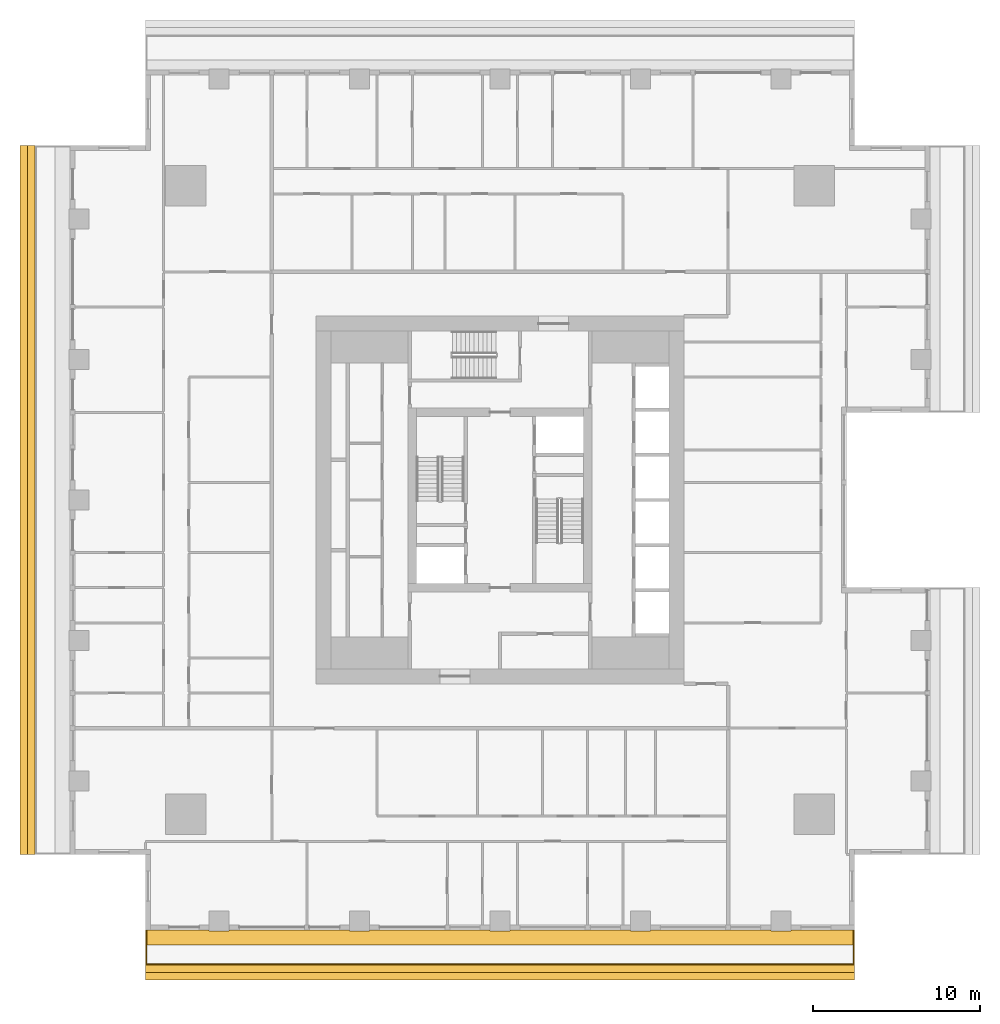
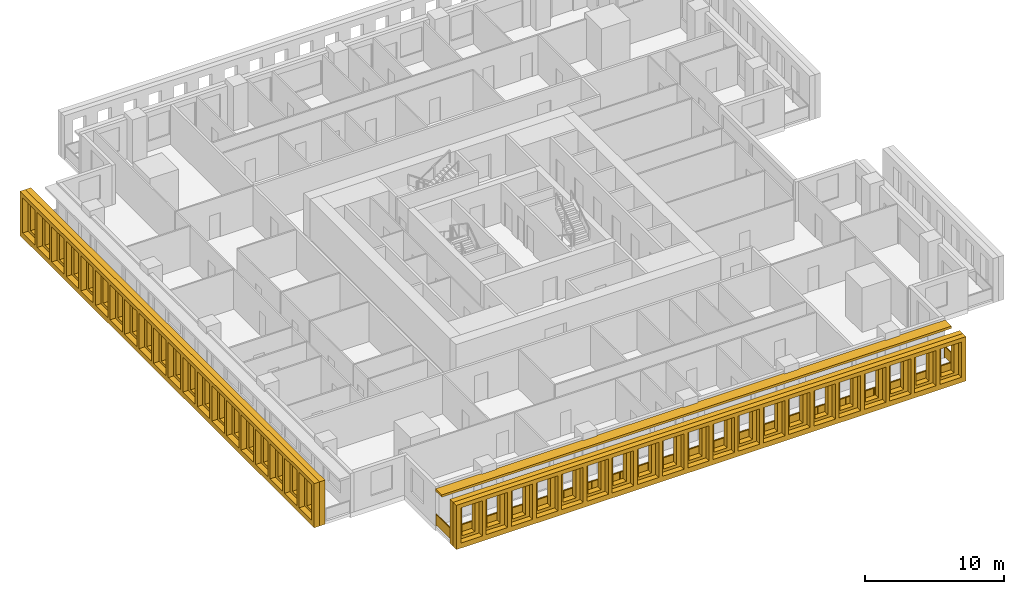
# One storey, part 10 of 15: 5 shading devices, 1 railing.
"""IFC4 building model written with IfcOpenShell, lengths in metres."""

from ifc_helpers import new_model, si_unit, direction, frame, origin, origin_2d, place, context, subcontext, project, spatial, polyline, rectangle, outline, extrude, material, layer, layer_set, type_object, element, save


model = new_model("IFC4")

# Units and contexts
model_context = context("Model", 3, precision=1e-05, world=origin(), true_north=direction((0.0, 1.0)))
body_context = subcontext(model_context, "Body", "Model", "MODEL_VIEW")
ifc_project = project(units=[si_unit("LENGTHUNIT", "METRE"), si_unit("AREAUNIT", "SQUARE_METRE"), si_unit("VOLUMEUNIT", "CUBIC_METRE"), si_unit("PLANEANGLEUNIT", "RADIAN"), si_unit("MASSUNIT", "GRAM", prefix="KILO")], contexts=[model_context])

# Site, building, storey
site_placement = place(None, origin())
site = spatial("IfcSite", under=ifc_project, at=site_placement, CompositionType="ELEMENT")
building_placement = place(site_placement, origin())
building = spatial("IfcBuilding", under=site, at=building_placement, Name="Khepri Terraces", CompositionType="ELEMENT")
storey_placement = place(building_placement, frame((0.0, 0.0, 200.10009765625)))
storey = spatial("IfcBuildingStorey", under=building, at=storey_placement, Name="L47", CompositionType="ELEMENT", Elevation=200.10009765625)

# Railing
ifc_material_1 = material(Name="Stainless steel grade 316", Category="steel")
railing_type = type_object("IfcRailingType", Name="GRD-BAL-1100", PredefinedType="GUARDRAIL", material=ifc_material_1)
railing_placement = place(storey_placement, frame((-21.169921875, -25.719970703125, 0.0)))
element("IfcRailing", 1, at=railing_placement, inside=storey, type_object=railing_type, Name="Balcony guard L47 S", PredefinedType="GUARDRAIL", context=body_context, shape_type="SweptSolid", body=[
    extrude(rectangle(XDim=0.050048828125, YDim=0.06005859375, at=origin_2d()), frame((0.0, 0.0, 1.070068359375), z_axis=(0.0, -1.0, 0.0), x_axis=(1.0, 0.0, 0.0)), (0.0, 0.0, 1.0), 2.050048828125),
    extrude(rectangle(XDim=2.0, YDim=0.011962890625, at=origin_2d()), frame((0.0, -1.02490234375, 0.10009765625), z_axis=(0.0, 0.0, 1.0), x_axis=(0.0, -1.0, 0.0)), (0.0, 0.0, 1.0), 0.93994140625),
    extrude(rectangle(XDim=0.050048828125, YDim=0.06005859375, at=origin_2d()), frame((0.0, -2.050048828125, 1.070068359375), z_axis=(1.0, 0.0, 0.0), x_axis=(0.0, 1.0, 0.0)), (0.0, 0.0, 1.0), 42.33984375),
    extrude(rectangle(XDim=2.30224609375, YDim=0.011962890625, at=origin_2d()), frame((1.176025390625, -2.050048828125, 0.10009765625), z_axis=(0.0, 0.0, 1.0), x_axis=(1.0, 0.0, 0.0)), (0.0, 0.0, 1.0), 0.93994140625),
    extrude(rectangle(XDim=2.30224609375, YDim=0.011962890625, at=origin_2d()), frame((3.5283203125, -2.050048828125, 0.10009765625), z_axis=(0.0, 0.0, 1.0), x_axis=(1.0, 0.0, 0.0)), (0.0, 0.0, 1.0), 0.93994140625),
    extrude(rectangle(XDim=2.30224609375, YDim=0.011962890625, at=origin_2d()), frame((5.880615234375, -2.050048828125, 0.10009765625), z_axis=(0.0, 0.0, 1.0), x_axis=(1.0, 0.0, 0.0)), (0.0, 0.0, 1.0), 0.93994140625),
    extrude(rectangle(XDim=2.30224609375, YDim=0.011962890625, at=origin_2d()), frame((8.232666015625, -2.050048828125, 0.10009765625), z_axis=(0.0, 0.0, 1.0), x_axis=(1.0, 0.0, 0.0)), (0.0, 0.0, 1.0), 0.93994140625),
    extrude(rectangle(XDim=2.30224609375, YDim=0.011962890625, at=origin_2d()), frame((10.5849609375, -2.050048828125, 0.10009765625), z_axis=(0.0, 0.0, 1.0), x_axis=(1.0, 0.0, 0.0)), (0.0, 0.0, 1.0), 0.93994140625),
    extrude(rectangle(XDim=2.30224609375, YDim=0.011962890625, at=origin_2d()), frame((12.937255859375, -2.050048828125, 0.10009765625), z_axis=(0.0, 0.0, 1.0), x_axis=(1.0, 0.0, 0.0)), (0.0, 0.0, 1.0), 0.93994140625),
    extrude(rectangle(XDim=2.30224609375, YDim=0.011962890625, at=origin_2d()), frame((15.289306640625, -2.050048828125, 0.10009765625), z_axis=(0.0, 0.0, 1.0), x_axis=(1.0, 0.0, 0.0)), (0.0, 0.0, 1.0), 0.93994140625),
    extrude(rectangle(XDim=2.30224609375, YDim=0.011962890625, at=origin_2d()), frame((17.6416015625, -2.050048828125, 0.10009765625), z_axis=(0.0, 0.0, 1.0), x_axis=(1.0, 0.0, 0.0)), (0.0, 0.0, 1.0), 0.93994140625),
    extrude(rectangle(XDim=2.30224609375, YDim=0.011962890625, at=origin_2d()), frame((19.993896484375, -2.050048828125, 0.10009765625), z_axis=(0.0, 0.0, 1.0), x_axis=(1.0, 0.0, 0.0)), (0.0, 0.0, 1.0), 0.93994140625),
    extrude(rectangle(XDim=2.30224609375, YDim=0.011962890625, at=origin_2d()), frame((22.345947265625, -2.050048828125, 0.10009765625), z_axis=(0.0, 0.0, 1.0), x_axis=(1.0, 0.0, 0.0)), (0.0, 0.0, 1.0), 0.93994140625),
    extrude(rectangle(XDim=2.30224609375, YDim=0.011962890625, at=origin_2d()), frame((24.6982421875, -2.050048828125, 0.10009765625), z_axis=(0.0, 0.0, 1.0), x_axis=(1.0, 0.0, 0.0)), (0.0, 0.0, 1.0), 0.93994140625),
    extrude(rectangle(XDim=2.30224609375, YDim=0.011962890625, at=origin_2d()), frame((27.050537109375, -2.050048828125, 0.10009765625), z_axis=(0.0, 0.0, 1.0), x_axis=(1.0, 0.0, 0.0)), (0.0, 0.0, 1.0), 0.93994140625),
    extrude(rectangle(XDim=2.30224609375, YDim=0.011962890625, at=origin_2d()), frame((29.402587890625, -2.050048828125, 0.10009765625), z_axis=(0.0, 0.0, 1.0), x_axis=(1.0, 0.0, 0.0)), (0.0, 0.0, 1.0), 0.93994140625),
    extrude(rectangle(XDim=2.30224609375, YDim=0.011962890625, at=origin_2d()), frame((31.7548828125, -2.050048828125, 0.10009765625), z_axis=(0.0, 0.0, 1.0), x_axis=(1.0, 0.0, 0.0)), (0.0, 0.0, 1.0), 0.93994140625),
    extrude(rectangle(XDim=2.30224609375, YDim=0.011962890625, at=origin_2d()), frame((34.107177734375, -2.050048828125, 0.10009765625), z_axis=(0.0, 0.0, 1.0), x_axis=(1.0, 0.0, 0.0)), (0.0, 0.0, 1.0), 0.93994140625),
    extrude(rectangle(XDim=2.30224609375, YDim=0.011962890625, at=origin_2d()), frame((36.459228515625, -2.050048828125, 0.10009765625), z_axis=(0.0, 0.0, 1.0), x_axis=(1.0, 0.0, 0.0)), (0.0, 0.0, 1.0), 0.93994140625),
    extrude(rectangle(XDim=2.30224609375, YDim=0.011962890625, at=origin_2d()), frame((38.8115234375, -2.050048828125, 0.10009765625), z_axis=(0.0, 0.0, 1.0), x_axis=(1.0, 0.0, 0.0)), (0.0, 0.0, 1.0), 0.93994140625),
    extrude(rectangle(XDim=2.30224609375, YDim=0.011962890625, at=origin_2d()), frame((41.163818359375, -2.050048828125, 0.10009765625), z_axis=(0.0, 0.0, 1.0), x_axis=(1.0, 0.0, 0.0)), (0.0, 0.0, 1.0), 0.93994140625),
    extrude(rectangle(XDim=0.050048828125, YDim=0.06005859375, at=origin_2d()), frame((42.33984375, -2.050048828125, 1.070068359375), z_axis=(0.0, 1.0, 0.0), x_axis=(-1.0, 0.0, 0.0)), (0.0, 0.0, 1.0), 2.050048828125),
    extrude(rectangle(XDim=2.0, YDim=0.011962890625, at=origin_2d()), frame((42.33984375, -1.02490234375, 0.10009765625), z_axis=(0.0, 0.0, 1.0), x_axis=(0.0, 1.0, 0.0)), (0.0, 0.0, 1.0), 0.93994140625),
    extrude(rectangle(XDim=0.050048828125, YDim=0.050048828125, at=origin_2d()), origin(), (0.0, 0.0, 1.0), 1.0400390625),
    extrude(rectangle(XDim=0.050048828125, YDim=0.050048828125, at=origin_2d()), frame((0.0, -2.050048828125, 0.0)), (0.0, 0.0, 1.0), 1.0400390625),
    extrude(rectangle(XDim=0.050048828125, YDim=0.050048828125, at=origin_2d()), frame((2.352294921875, -2.050048828125, 0.0)), (0.0, 0.0, 1.0), 1.0400390625),
    extrude(rectangle(XDim=0.050048828125, YDim=0.050048828125, at=origin_2d()), frame((4.704345703125, -2.050048828125, 0.0)), (0.0, 0.0, 1.0), 1.0400390625),
    extrude(rectangle(XDim=0.050048828125, YDim=0.050048828125, at=origin_2d()), frame((7.056640625, -2.050048828125, 0.0)), (0.0, 0.0, 1.0), 1.0400390625),
    extrude(rectangle(XDim=0.050048828125, YDim=0.050048828125, at=origin_2d()), frame((9.408935546875, -2.050048828125, 0.0)), (0.0, 0.0, 1.0), 1.0400390625),
    extrude(rectangle(XDim=0.050048828125, YDim=0.050048828125, at=origin_2d()), frame((11.760986328125, -2.050048828125, 0.0)), (0.0, 0.0, 1.0), 1.0400390625),
    extrude(rectangle(XDim=0.050048828125, YDim=0.050048828125, at=origin_2d()), frame((14.11328125, -2.050048828125, 0.0)), (0.0, 0.0, 1.0), 1.0400390625),
    extrude(rectangle(XDim=0.050048828125, YDim=0.050048828125, at=origin_2d()), frame((16.465576171875, -2.050048828125, 0.0)), (0.0, 0.0, 1.0), 1.0400390625),
    extrude(rectangle(XDim=0.050048828125, YDim=0.050048828125, at=origin_2d()), frame((18.817626953125, -2.050048828125, 0.0)), (0.0, 0.0, 1.0), 1.0400390625),
    extrude(rectangle(XDim=0.050048828125, YDim=0.050048828125, at=origin_2d()), frame((21.169921875, -2.050048828125, 0.0)), (0.0, 0.0, 1.0), 1.0400390625),
    extrude(rectangle(XDim=0.050048828125, YDim=0.050048828125, at=origin_2d()), frame((23.522216796875, -2.050048828125, 0.0)), (0.0, 0.0, 1.0), 1.0400390625),
    extrude(rectangle(XDim=0.050048828125, YDim=0.050048828125, at=origin_2d()), frame((25.874267578125, -2.050048828125, 0.0)), (0.0, 0.0, 1.0), 1.0400390625),
    extrude(rectangle(XDim=0.050048828125, YDim=0.050048828125, at=origin_2d()), frame((28.2265625, -2.050048828125, 0.0)), (0.0, 0.0, 1.0), 1.0400390625),
    extrude(rectangle(XDim=0.050048828125, YDim=0.050048828125, at=origin_2d()), frame((30.578857421875, -2.050048828125, 0.0)), (0.0, 0.0, 1.0), 1.0400390625),
    extrude(rectangle(XDim=0.050048828125, YDim=0.050048828125, at=origin_2d()), frame((32.930908203125, -2.050048828125, 0.0)), (0.0, 0.0, 1.0), 1.0400390625),
    extrude(rectangle(XDim=0.050048828125, YDim=0.050048828125, at=origin_2d()), frame((35.283203125, -2.050048828125, 0.0)), (0.0, 0.0, 1.0), 1.0400390625),
    extrude(rectangle(XDim=0.050048828125, YDim=0.050048828125, at=origin_2d()), frame((37.635498046875, -2.050048828125, 0.0)), (0.0, 0.0, 1.0), 1.0400390625),
    extrude(rectangle(XDim=0.050048828125, YDim=0.050048828125, at=origin_2d()), frame((39.987548828125, -2.050048828125, 0.0)), (0.0, 0.0, 1.0), 1.0400390625),
    extrude(rectangle(XDim=0.050048828125, YDim=0.050048828125, at=origin_2d()), frame((42.33984375, -2.050048828125, 0.0)), (0.0, 0.0, 1.0), 1.0400390625),
    extrude(rectangle(XDim=0.050048828125, YDim=0.050048828125, at=origin_2d()), frame((42.33984375, 0.0, 0.0)), (0.0, 0.0, 1.0), 1.0400390625),
])

# Shading devices
ifc_material_2 = material(Name="Precast concrete C50/60 warm stone", Category="masonry")
shading_device_type_1 = type_object("IfcShadingDeviceType", Name="SCR-CELL-INNER-450", PredefinedType="USERDEFINED", material=ifc_material_2)
shading_device_1_placement = place(storey_placement, frame((-21.219970703125, -27.820068359375, -0.25), z_axis=(0.0, -1.0, 0.0), x_axis=(1.0, 0.0, 0.0)))
element("IfcShadingDevice", 2, at=shading_device_1_placement, inside=storey, type_object=shading_device_type_1, Name="Cell screen L47 S in", ObjectType="SCREEN", PredefinedType="USERDEFINED", context=body_context, shape_type="SweptSolid", body=[
    extrude(outline(polyline([(0.0, 0.0), (42.43994140625, 0.0), (42.43994140625, 3.89990234375), (0.0, 3.89990234375), (0.0, 0.0)]), holes=[polyline([(0.7265625, 0.699951171875), (1.8134765625, 0.699951171875), (1.8134765625, 3.300048828125), (0.7265625, 3.300048828125), (0.7265625, 0.699951171875)]), polyline([(2.82666015625, 0.699951171875), (3.913330078125, 0.699951171875), (3.913330078125, 3.300048828125), (2.82666015625, 3.300048828125), (2.82666015625, 0.699951171875)]), polyline([(4.926513671875, 0.699951171875), (6.013427734375, 0.699951171875), (6.013427734375, 3.300048828125), (4.926513671875, 3.300048828125), (4.926513671875, 0.699951171875)]), polyline([(7.026611328125, 0.699951171875), (8.11328125, 0.699951171875), (8.11328125, 3.300048828125), (7.026611328125, 3.300048828125), (7.026611328125, 0.699951171875)]), polyline([(9.126708984375, 0.699951171875), (10.21337890625, 0.699951171875), (10.21337890625, 3.300048828125), (9.126708984375, 3.300048828125), (9.126708984375, 0.699951171875)]), polyline([(11.2265625, 0.699951171875), (12.3134765625, 0.699951171875), (12.3134765625, 3.300048828125), (11.2265625, 3.300048828125), (11.2265625, 0.699951171875)]), polyline([(13.32666015625, 0.699951171875), (14.413330078125, 0.699951171875), (14.413330078125, 3.300048828125), (13.32666015625, 3.300048828125), (13.32666015625, 0.699951171875)]), polyline([(15.426513671875, 0.699951171875), (16.513427734375, 0.699951171875), (16.513427734375, 3.300048828125), (15.426513671875, 3.300048828125), (15.426513671875, 0.699951171875)]), polyline([(17.526611328125, 0.699951171875), (18.61328125, 0.699951171875), (18.61328125, 3.300048828125), (17.526611328125, 3.300048828125), (17.526611328125, 0.699951171875)]), polyline([(19.626708984375, 0.699951171875), (20.71337890625, 0.699951171875), (20.71337890625, 3.300048828125), (19.626708984375, 3.300048828125), (19.626708984375, 0.699951171875)]), polyline([(21.7265625, 0.699951171875), (22.8134765625, 0.699951171875), (22.8134765625, 3.300048828125), (21.7265625, 3.300048828125), (21.7265625, 0.699951171875)]), polyline([(23.82666015625, 0.699951171875), (24.913330078125, 0.699951171875), (24.913330078125, 3.300048828125), (23.82666015625, 3.300048828125), (23.82666015625, 0.699951171875)]), polyline([(25.926513671875, 0.699951171875), (27.013427734375, 0.699951171875), (27.013427734375, 3.300048828125), (25.926513671875, 3.300048828125), (25.926513671875, 0.699951171875)]), polyline([(28.026611328125, 0.699951171875), (29.11328125, 0.699951171875), (29.11328125, 3.300048828125), (28.026611328125, 3.300048828125), (28.026611328125, 0.699951171875)]), polyline([(30.126708984375, 0.699951171875), (31.21337890625, 0.699951171875), (31.21337890625, 3.300048828125), (30.126708984375, 3.300048828125), (30.126708984375, 0.699951171875)]), polyline([(32.2265625, 0.699951171875), (33.3134765625, 0.699951171875), (33.3134765625, 3.300048828125), (32.2265625, 3.300048828125), (32.2265625, 0.699951171875)]), polyline([(34.32666015625, 0.699951171875), (35.413330078125, 0.699951171875), (35.413330078125, 3.300048828125), (34.32666015625, 3.300048828125), (34.32666015625, 0.699951171875)]), polyline([(36.426513671875, 0.699951171875), (37.513427734375, 0.699951171875), (37.513427734375, 3.300048828125), (36.426513671875, 3.300048828125), (36.426513671875, 0.699951171875)]), polyline([(38.526611328125, 0.699951171875), (39.61328125, 0.699951171875), (39.61328125, 3.300048828125), (38.526611328125, 3.300048828125), (38.526611328125, 0.699951171875)]), polyline([(40.626708984375, 0.699951171875), (41.71337890625, 0.699951171875), (41.71337890625, 3.300048828125), (40.626708984375, 3.300048828125), (40.626708984375, 0.699951171875)])]), origin(), (0.0, 0.0, 1.0), 0.449951171875),
])
shading_device_2_placement = place(storey_placement, frame((-27.820068359375, 21.219970703125, -0.25), z_axis=(-1.0, 0.0, 0.0), x_axis=(0.0, -1.0, 0.0)))
element("IfcShadingDevice", 3, at=shading_device_2_placement, inside=storey, type_object=shading_device_type_1, Name="Cell screen L47 W in", ObjectType="SCREEN", PredefinedType="USERDEFINED", context=body_context, shape_type="SweptSolid", body=[
    extrude(outline(polyline([(0.0, 0.0), (42.43994140625, 0.0), (42.43994140625, 3.89990234375), (0.0, 3.89990234375), (0.0, 0.0)]), holes=[polyline([(0.7265625, 0.699951171875), (1.8134765625, 0.699951171875), (1.8134765625, 3.300048828125), (0.7265625, 3.300048828125), (0.7265625, 0.699951171875)]), polyline([(2.82666015625, 0.699951171875), (3.913330078125, 0.699951171875), (3.913330078125, 3.300048828125), (2.82666015625, 3.300048828125), (2.82666015625, 0.699951171875)]), polyline([(4.926513671875, 0.699951171875), (6.013427734375, 0.699951171875), (6.013427734375, 3.300048828125), (4.926513671875, 3.300048828125), (4.926513671875, 0.699951171875)]), polyline([(7.026611328125, 0.699951171875), (8.11328125, 0.699951171875), (8.11328125, 3.300048828125), (7.026611328125, 3.300048828125), (7.026611328125, 0.699951171875)]), polyline([(9.126708984375, 0.699951171875), (10.21337890625, 0.699951171875), (10.21337890625, 3.300048828125), (9.126708984375, 3.300048828125), (9.126708984375, 0.699951171875)]), polyline([(11.2265625, 0.699951171875), (12.3134765625, 0.699951171875), (12.3134765625, 3.300048828125), (11.2265625, 3.300048828125), (11.2265625, 0.699951171875)]), polyline([(13.32666015625, 0.699951171875), (14.413330078125, 0.699951171875), (14.413330078125, 3.300048828125), (13.32666015625, 3.300048828125), (13.32666015625, 0.699951171875)]), polyline([(15.426513671875, 0.699951171875), (16.513427734375, 0.699951171875), (16.513427734375, 3.300048828125), (15.426513671875, 3.300048828125), (15.426513671875, 0.699951171875)]), polyline([(17.526611328125, 0.699951171875), (18.61328125, 0.699951171875), (18.61328125, 3.300048828125), (17.526611328125, 3.300048828125), (17.526611328125, 0.699951171875)]), polyline([(19.626708984375, 0.699951171875), (20.71337890625, 0.699951171875), (20.71337890625, 3.300048828125), (19.626708984375, 3.300048828125), (19.626708984375, 0.699951171875)]), polyline([(21.7265625, 0.699951171875), (22.8134765625, 0.699951171875), (22.8134765625, 3.300048828125), (21.7265625, 3.300048828125), (21.7265625, 0.699951171875)]), polyline([(23.82666015625, 0.699951171875), (24.913330078125, 0.699951171875), (24.913330078125, 3.300048828125), (23.82666015625, 3.300048828125), (23.82666015625, 0.699951171875)]), polyline([(25.926513671875, 0.699951171875), (27.013427734375, 0.699951171875), (27.013427734375, 3.300048828125), (25.926513671875, 3.300048828125), (25.926513671875, 0.699951171875)]), polyline([(28.026611328125, 0.699951171875), (29.11328125, 0.699951171875), (29.11328125, 3.300048828125), (28.026611328125, 3.300048828125), (28.026611328125, 0.699951171875)]), polyline([(30.126708984375, 0.699951171875), (31.21337890625, 0.699951171875), (31.21337890625, 3.300048828125), (30.126708984375, 3.300048828125), (30.126708984375, 0.699951171875)]), polyline([(32.2265625, 0.699951171875), (33.3134765625, 0.699951171875), (33.3134765625, 3.300048828125), (32.2265625, 3.300048828125), (32.2265625, 0.699951171875)]), polyline([(34.32666015625, 0.699951171875), (35.413330078125, 0.699951171875), (35.413330078125, 3.300048828125), (34.32666015625, 3.300048828125), (34.32666015625, 0.699951171875)]), polyline([(36.426513671875, 0.699951171875), (37.513427734375, 0.699951171875), (37.513427734375, 3.300048828125), (36.426513671875, 3.300048828125), (36.426513671875, 0.699951171875)]), polyline([(38.526611328125, 0.699951171875), (39.61328125, 0.699951171875), (39.61328125, 3.300048828125), (38.526611328125, 3.300048828125), (38.526611328125, 0.699951171875)]), polyline([(40.626708984375, 0.699951171875), (41.71337890625, 0.699951171875), (41.71337890625, 3.300048828125), (40.626708984375, 3.300048828125), (40.626708984375, 0.699951171875)])]), origin(), (0.0, 0.0, 1.0), 0.449951171875),
])
shading_device_type_2 = type_object("IfcShadingDeviceType", Name="SCR-CELL-OUTER-450", PredefinedType="USERDEFINED", material=ifc_material_2)
shading_device_3_placement = place(storey_placement, frame((-21.219970703125, -28.27001953125, -0.25), z_axis=(0.0, -1.0, 0.0), x_axis=(1.0, 0.0, 0.0)))
element("IfcShadingDevice", 4, at=shading_device_3_placement, inside=storey, type_object=shading_device_type_2, Name="Cell screen L47 S out", ObjectType="SCREEN", PredefinedType="USERDEFINED", context=body_context, shape_type="SweptSolid", body=[
    extrude(outline(polyline([(0.0, 0.0), (42.43994140625, 0.0), (42.43994140625, 3.89990234375), (0.0, 3.89990234375), (0.0, 0.0)]), holes=[polyline([(0.376708984375, 0.449951171875), (2.163330078125, 0.449951171875), (2.163330078125, 3.550048828125), (0.376708984375, 3.550048828125), (0.376708984375, 0.449951171875)]), polyline([(2.4765625, 0.449951171875), (4.263427734375, 0.449951171875), (4.263427734375, 3.550048828125), (2.4765625, 3.550048828125), (2.4765625, 0.449951171875)]), polyline([(4.57666015625, 0.449951171875), (6.36328125, 0.449951171875), (6.36328125, 3.550048828125), (4.57666015625, 3.550048828125), (4.57666015625, 0.449951171875)]), polyline([(6.676513671875, 0.449951171875), (8.46337890625, 0.449951171875), (8.46337890625, 3.550048828125), (6.676513671875, 3.550048828125), (6.676513671875, 0.449951171875)]), polyline([(8.776611328125, 0.449951171875), (10.5634765625, 0.449951171875), (10.5634765625, 3.550048828125), (8.776611328125, 3.550048828125), (8.776611328125, 0.449951171875)]), polyline([(10.876708984375, 0.449951171875), (12.663330078125, 0.449951171875), (12.663330078125, 3.550048828125), (10.876708984375, 3.550048828125), (10.876708984375, 0.449951171875)]), polyline([(12.9765625, 0.449951171875), (14.763427734375, 0.449951171875), (14.763427734375, 3.550048828125), (12.9765625, 3.550048828125), (12.9765625, 0.449951171875)]), polyline([(15.07666015625, 0.449951171875), (16.86328125, 0.449951171875), (16.86328125, 3.550048828125), (15.07666015625, 3.550048828125), (15.07666015625, 0.449951171875)]), polyline([(17.176513671875, 0.449951171875), (18.96337890625, 0.449951171875), (18.96337890625, 3.550048828125), (17.176513671875, 3.550048828125), (17.176513671875, 0.449951171875)]), polyline([(19.276611328125, 0.449951171875), (21.0634765625, 0.449951171875), (21.0634765625, 3.550048828125), (19.276611328125, 3.550048828125), (19.276611328125, 0.449951171875)]), polyline([(21.376708984375, 0.449951171875), (23.163330078125, 0.449951171875), (23.163330078125, 3.550048828125), (21.376708984375, 3.550048828125), (21.376708984375, 0.449951171875)]), polyline([(23.4765625, 0.449951171875), (25.263427734375, 0.449951171875), (25.263427734375, 3.550048828125), (23.4765625, 3.550048828125), (23.4765625, 0.449951171875)]), polyline([(25.57666015625, 0.449951171875), (27.36328125, 0.449951171875), (27.36328125, 3.550048828125), (25.57666015625, 3.550048828125), (25.57666015625, 0.449951171875)]), polyline([(27.676513671875, 0.449951171875), (29.46337890625, 0.449951171875), (29.46337890625, 3.550048828125), (27.676513671875, 3.550048828125), (27.676513671875, 0.449951171875)]), polyline([(29.776611328125, 0.449951171875), (31.5634765625, 0.449951171875), (31.5634765625, 3.550048828125), (29.776611328125, 3.550048828125), (29.776611328125, 0.449951171875)]), polyline([(31.876708984375, 0.449951171875), (33.663330078125, 0.449951171875), (33.663330078125, 3.550048828125), (31.876708984375, 3.550048828125), (31.876708984375, 0.449951171875)]), polyline([(33.9765625, 0.449951171875), (35.763427734375, 0.449951171875), (35.763427734375, 3.550048828125), (33.9765625, 3.550048828125), (33.9765625, 0.449951171875)]), polyline([(36.07666015625, 0.449951171875), (37.86328125, 0.449951171875), (37.86328125, 3.550048828125), (36.07666015625, 3.550048828125), (36.07666015625, 0.449951171875)]), polyline([(38.176513671875, 0.449951171875), (39.96337890625, 0.449951171875), (39.96337890625, 3.550048828125), (38.176513671875, 3.550048828125), (38.176513671875, 0.449951171875)]), polyline([(40.276611328125, 0.449951171875), (42.0634765625, 0.449951171875), (42.0634765625, 3.550048828125), (40.276611328125, 3.550048828125), (40.276611328125, 0.449951171875)])]), origin(), (0.0, 0.0, 1.0), 0.449951171875),
])
shading_device_4_placement = place(storey_placement, frame((-28.27001953125, 21.219970703125, -0.25), z_axis=(-1.0, 0.0, 0.0), x_axis=(0.0, -1.0, 0.0)))
element("IfcShadingDevice", 5, at=shading_device_4_placement, inside=storey, type_object=shading_device_type_2, Name="Cell screen L47 W out", ObjectType="SCREEN", PredefinedType="USERDEFINED", context=body_context, shape_type="SweptSolid", body=[
    extrude(outline(polyline([(0.0, 0.0), (42.43994140625, 0.0), (42.43994140625, 3.89990234375), (0.0, 3.89990234375), (0.0, 0.0)]), holes=[polyline([(0.376708984375, 0.449951171875), (2.163330078125, 0.449951171875), (2.163330078125, 3.550048828125), (0.376708984375, 3.550048828125), (0.376708984375, 0.449951171875)]), polyline([(2.4765625, 0.449951171875), (4.263427734375, 0.449951171875), (4.263427734375, 3.550048828125), (2.4765625, 3.550048828125), (2.4765625, 0.449951171875)]), polyline([(4.57666015625, 0.449951171875), (6.36328125, 0.449951171875), (6.36328125, 3.550048828125), (4.57666015625, 3.550048828125), (4.57666015625, 0.449951171875)]), polyline([(6.676513671875, 0.449951171875), (8.46337890625, 0.449951171875), (8.46337890625, 3.550048828125), (6.676513671875, 3.550048828125), (6.676513671875, 0.449951171875)]), polyline([(8.776611328125, 0.449951171875), (10.5634765625, 0.449951171875), (10.5634765625, 3.550048828125), (8.776611328125, 3.550048828125), (8.776611328125, 0.449951171875)]), polyline([(10.876708984375, 0.449951171875), (12.663330078125, 0.449951171875), (12.663330078125, 3.550048828125), (10.876708984375, 3.550048828125), (10.876708984375, 0.449951171875)]), polyline([(12.9765625, 0.449951171875), (14.763427734375, 0.449951171875), (14.763427734375, 3.550048828125), (12.9765625, 3.550048828125), (12.9765625, 0.449951171875)]), polyline([(15.07666015625, 0.449951171875), (16.86328125, 0.449951171875), (16.86328125, 3.550048828125), (15.07666015625, 3.550048828125), (15.07666015625, 0.449951171875)]), polyline([(17.176513671875, 0.449951171875), (18.96337890625, 0.449951171875), (18.96337890625, 3.550048828125), (17.176513671875, 3.550048828125), (17.176513671875, 0.449951171875)]), polyline([(19.276611328125, 0.449951171875), (21.0634765625, 0.449951171875), (21.0634765625, 3.550048828125), (19.276611328125, 3.550048828125), (19.276611328125, 0.449951171875)]), polyline([(21.376708984375, 0.449951171875), (23.163330078125, 0.449951171875), (23.163330078125, 3.550048828125), (21.376708984375, 3.550048828125), (21.376708984375, 0.449951171875)]), polyline([(23.4765625, 0.449951171875), (25.263427734375, 0.449951171875), (25.263427734375, 3.550048828125), (23.4765625, 3.550048828125), (23.4765625, 0.449951171875)]), polyline([(25.57666015625, 0.449951171875), (27.36328125, 0.449951171875), (27.36328125, 3.550048828125), (25.57666015625, 3.550048828125), (25.57666015625, 0.449951171875)]), polyline([(27.676513671875, 0.449951171875), (29.46337890625, 0.449951171875), (29.46337890625, 3.550048828125), (27.676513671875, 3.550048828125), (27.676513671875, 0.449951171875)]), polyline([(29.776611328125, 0.449951171875), (31.5634765625, 0.449951171875), (31.5634765625, 3.550048828125), (29.776611328125, 3.550048828125), (29.776611328125, 0.449951171875)]), polyline([(31.876708984375, 0.449951171875), (33.663330078125, 0.449951171875), (33.663330078125, 3.550048828125), (31.876708984375, 3.550048828125), (31.876708984375, 0.449951171875)]), polyline([(33.9765625, 0.449951171875), (35.763427734375, 0.449951171875), (35.763427734375, 3.550048828125), (33.9765625, 3.550048828125), (33.9765625, 0.449951171875)]), polyline([(36.07666015625, 0.449951171875), (37.86328125, 0.449951171875), (37.86328125, 3.550048828125), (36.07666015625, 3.550048828125), (36.07666015625, 0.449951171875)]), polyline([(38.176513671875, 0.449951171875), (39.96337890625, 0.449951171875), (39.96337890625, 3.550048828125), (38.176513671875, 3.550048828125), (38.176513671875, 0.449951171875)]), polyline([(40.276611328125, 0.449951171875), (42.0634765625, 0.449951171875), (42.0634765625, 3.550048828125), (40.276611328125, 3.550048828125), (40.276611328125, 0.449951171875)])]), origin(), (0.0, 0.0, 1.0), 0.449951171875),
])
ifc_layer = layer(ifc_material_2, 0.199951171875, Name="Precast concrete C50/60 warm stone", Category="masonry")
ifc_layer_set = layer_set([ifc_layer], Name="Precast concrete C50/60 warm stone")
shading_device_type_3 = type_object("IfcShadingDeviceType", Name="SSH-BAND-STONE-200", PredefinedType="USERDEFINED", material=ifc_layer_set)
shading_device_5_placement = place(storey_placement, frame((0.0, 0.0, 3.099853515625)))
element("IfcShadingDevice", 6, at=shading_device_5_placement, inside=storey, type_object=shading_device_type_3, Name="Sunshade band L47 S", ObjectType="SUNSHADE", PredefinedType="USERDEFINED", context=body_context, shape_type="SweptSolid", body=[
    extrude(outline(polyline([(-17.39990234375, -25.719970703125), (-21.219970703125, -25.719970703125), (-21.219970703125, -26.6201171875), (21.219970703125, -26.6201171875), (21.219970703125, -25.719970703125), (17.39990234375, -25.719970703125), (17.39990234375, -25.800048828125), (16.199951171875, -25.800048828125), (16.199951171875, -25.719970703125), (9.0, -25.719970703125), (9.0, -25.800048828125), (7.800048828125, -25.800048828125), (7.800048828125, -25.719970703125), (0.60009765625, -25.719970703125), (0.60009765625, -25.800048828125), (-0.60009765625, -25.800048828125), (-0.60009765625, -25.719970703125), (-7.800048828125, -25.719970703125), (-7.800048828125, -25.800048828125), (-9.0, -25.800048828125), (-9.0, -25.719970703125), (-16.199951171875, -25.719970703125), (-16.199951171875, -25.800048828125), (-17.39990234375, -25.800048828125), (-17.39990234375, -25.719970703125)])), origin(), (0.0, 0.0, 1.0), 0.199951171875),
])

save(model, "model.ifc")
